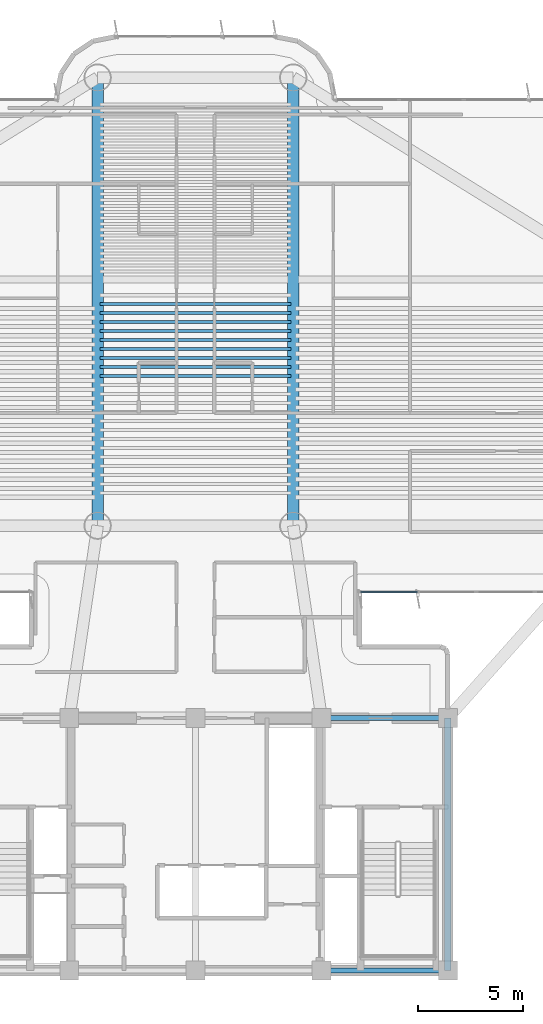
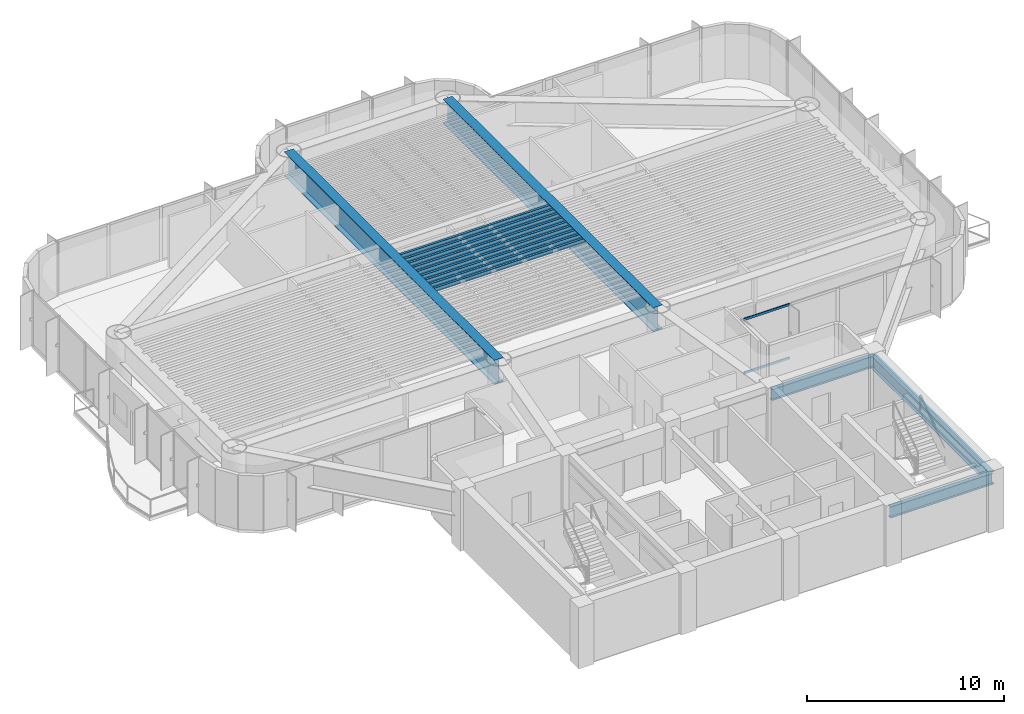
# One storey, part 3 of 15: 14 beams, 2 members, 1 element without a shape of its own.
"""IFC4 building model written with IfcOpenShell, lengths in metres."""

from ifc_helpers import new_model, si_unit, direction, frame, origin, origin_2d, place, context, subcontext, project, spatial, rectangle, i_section, extrude, source, transform, mapped, material, layer, layer_set, material_profile, profile_set, type_object, element, aggregate, save


model = new_model("IFC4")

# Units and contexts
model_context = context("Model", 3, precision=1e-05, world=origin(), true_north=direction((0.0, 1.0)))
body_context = subcontext(model_context, "Body", "Model", "MODEL_VIEW")
ifc_project = project(units=[si_unit("LENGTHUNIT", "METRE"), si_unit("AREAUNIT", "SQUARE_METRE"), si_unit("VOLUMEUNIT", "CUBIC_METRE"), si_unit("PLANEANGLEUNIT", "RADIAN"), si_unit("MASSUNIT", "GRAM", prefix="KILO")], contexts=[model_context])

# Site, building, storey
site_placement = place(None, origin())
site = spatial("IfcSite", under=ifc_project, at=site_placement, CompositionType="ELEMENT")
building_placement = place(site_placement, origin())
building = spatial("IfcBuilding", under=site, at=building_placement, Name="Brelvock Crest Care Tower", CompositionType="ELEMENT")
storey_placement = place(building_placement, frame((0.0, 0.0, 142.739990234375)))
storey = spatial("IfcBuildingStorey", under=building, at=storey_placement, Name="L36", CompositionType="ELEMENT", Elevation=142.739990234375)

# Beams
ifc_material_1 = material(Name="Steel Grade 350", Category="steel")
ifc_material_profile_1 = material_profile(ifc_material_1, i_section(OverallWidth=0.25, OverallDepth=0.699951171875, WebThickness=0.011962890625, FlangeThickness=0.02001953125, at=origin_2d()), Name="700WB150")
ifc_profile_set_1 = profile_set([ifc_material_profile_1], Name="Steel Grade 350")
beam_type_1 = type_object("IfcBeamType", Name="BM-G4", PredefinedType="BEAM", material=ifc_profile_set_1)
shared_shape_1 = source(origin(), body_context, "Body", "SweptSolid", [
    extrude(i_section(OverallWidth=0.25, OverallDepth=0.699951171875, WebThickness=0.011962890625, FlangeThickness=0.02001953125, at=origin_2d()), origin(), (0.0, 0.0, 1.0), 6.0),
])
for number, where, z_axis, x_axis, name in (
    (1, (42.0, 6.0, 3.02197265625), (1.0, 0.0, 0.0), (0.0, 1.0, 0.0), "BM-CORES-L36-4"),
    (2, (42.0, 18.0, 3.02197265625), (1.0, 0.0, 0.0), (0.0, 1.0, 0.0), "BM-COREN-L36-4"),
):
    element("IfcBeam", number, at=place(storey_placement, frame(where, z_axis=z_axis, x_axis=x_axis)), inside=storey, type_object=beam_type_1, Name=name, PredefinedType="BEAM", context=body_context, shape_type="MappedRepresentation", body=[
        mapped(shared_shape_1, transform((0.0, 0.0, 0.0), x_axis=(1.0, 0.0, 0.0), y_axis=(0.0, 1.0, 0.0), z_axis=(0.0, 0.0, 1.0), scale=1.0)),
    ])
ifc_material_profile_2 = material_profile(ifc_material_1, i_section(OverallWidth=0.300048828125, OverallDepth=0.800048828125, WebThickness=0.013916015625, FlangeThickness=0.02197265625, at=origin_2d()), Name="800WB192")
ifc_profile_set_2 = profile_set([ifc_material_profile_2], Name="Steel Grade 350")
beam_type_2 = type_object("IfcBeamType", Name="BM-G5", PredefinedType="BEAM", material=ifc_profile_set_2)
shared_shape_2 = source(origin(), body_context, "Body", "SweptSolid", [
    extrude(i_section(OverallWidth=0.300048828125, OverallDepth=0.800048828125, WebThickness=0.013916015625, FlangeThickness=0.02197265625, at=origin_2d()), origin(), (0.0, 0.0, 1.0), 12.0),
])
beam_placement = place(storey_placement, frame((48.0, 6.0, 2.971923828125), z_axis=(0.0, 1.0, 0.0), x_axis=(-1.0, 0.0, 0.0)))
element("IfcBeam", 3, at=beam_placement, inside=storey, type_object=beam_type_2, Name="BM-COREX-L36-5", PredefinedType="BEAM", context=body_context, shape_type="MappedRepresentation", body=[
    mapped(shared_shape_2, transform((0.0, 0.0, 0.0), x_axis=(1.0, 0.0, 0.0), y_axis=(0.0, 1.0, 0.0), z_axis=(0.0, 0.0, 1.0), scale=1.0)),
])
ifc_material_profile_3 = material_profile(ifc_material_1, i_section(OverallWidth=0.14599609375, OverallDepth=0.256103515625, WebThickness=0.00634765625, FlangeThickness=0.010986328125, FilletRadius=0.0087890625, at=origin_2d()), Name="250UB37.3")
ifc_profile_set_3 = profile_set([ifc_material_profile_3], Name="Steel Grade 350")
beam_type_3 = type_object("IfcBeamType", Name="BM-J3", PredefinedType="JOIST", material=ifc_profile_set_3)
shared_shape_3 = source(origin(), body_context, "Body", "SweptSolid", [
    extrude(i_section(OverallWidth=0.14599609375, OverallDepth=0.256103515625, WebThickness=0.00634765625, FlangeThickness=0.010986328125, FilletRadius=0.0087890625, at=origin_2d()), origin(), (0.0, 0.0, 1.0), 9.06982421875),
])
for number, where, z_axis, x_axis, name in (
    (4, (31.465087890625, 34.2607421875, 3.243896484375), (1.0, 0.0, 0.0), (0.0, 1.0, 0.0), "BM-JH-L36-16"),
    (5, (31.465087890625, 34.687744140625, 3.243896484375), (1.0, 0.0, 0.0), (0.0, 1.0, 0.0), "BM-JH-L36-17"),
    (6, (31.465087890625, 35.11474609375, 3.243896484375), (1.0, 0.0, 0.0), (0.0, 1.0, 0.0), "BM-JH-L36-18"),
    (7, (31.465087890625, 35.541748046875, 3.243896484375), (1.0, 0.0, 0.0), (0.0, 1.0, 0.0), "BM-JH-L36-19"),
    (8, (31.465087890625, 35.96875, 3.243896484375), (1.0, 0.0, 0.0), (0.0, 1.0, 0.0), "BM-JH-L36-20"),
    (9, (31.465087890625, 36.39599609375, 3.243896484375), (1.0, 0.0, 0.0), (0.0, 1.0, 0.0), "BM-JH-L36-21"),
    (10, (31.465087890625, 36.822998046875, 3.243896484375), (1.0, 0.0, 0.0), (0.0, 1.0, 0.0), "BM-JH-L36-22"),
    (11, (31.465087890625, 37.25, 3.243896484375), (1.0, 0.0, 0.0), (0.0, 1.0, 0.0), "BM-JH-L36-23"),
    (12, (31.465087890625, 37.677001953125, 3.243896484375), (1.0, 0.0, 0.0), (0.0, 1.0, 0.0), "BM-JH-L36-24"),
):
    element("IfcBeam", number, at=place(storey_placement, frame(where, z_axis=z_axis, x_axis=x_axis)), inside=storey, type_object=beam_type_3, Name=name, PredefinedType="JOIST", context=body_context, shape_type="MappedRepresentation", body=[
        mapped(shared_shape_3, transform((0.0, 0.0, 0.0), x_axis=(1.0, 0.0, 0.0), y_axis=(0.0, 1.0, 0.0), z_axis=(0.0, 0.0, 1.0), scale=1.0)),
    ])
ifc_material_profile_4 = material_profile(ifc_material_1, i_section(OverallWidth=0.550048828125, OverallDepth=1.5, WebThickness=0.02392578125, FlangeThickness=0.044921875, at=origin_2d()), Name="1500TG580")
ifc_profile_set_4 = profile_set([ifc_material_profile_4], Name="Steel Grade 350")
beam_type_4 = type_object("IfcBeamType", Name="BM-TG2", PredefinedType="USERDEFINED", material=ifc_profile_set_4)
shared_shape_4 = source(origin(), body_context, "Body", "SweptSolid", [
    extrude(i_section(OverallWidth=0.550048828125, OverallDepth=1.5, WebThickness=0.02392578125, FlangeThickness=0.044921875, at=origin_2d()), origin(), (0.0, 0.0, 1.0), 21.300048828125),
])
for number, where, z_axis, x_axis, name in (
    (13, (31.35009765625, 27.14990234375, 2.6220703125), (0.0, 1.0, 0.0), (-1.0, 0.0, 0.0), "BM-TWR-L36-09"),
    (14, (40.64990234375, 27.14990234375, 2.6220703125), (0.0, 1.0, 0.0), (-1.0, 0.0, 0.0), "BM-TWR-L36-10"),
):
    element("IfcBeam", number, at=place(storey_placement, frame(where, z_axis=z_axis, x_axis=x_axis)), inside=storey, type_object=beam_type_4, Name=name, ObjectType="GIRDER", PredefinedType="USERDEFINED", context=body_context, shape_type="MappedRepresentation", body=[
        mapped(shared_shape_4, transform((0.0, 0.0, 0.0), x_axis=(1.0, 0.0, 0.0), y_axis=(0.0, 1.0, 0.0), z_axis=(0.0, 0.0, 1.0), scale=1.0)),
    ])

# Curtain wall, members
ifc_material_2 = material(Name="Dark Glass Double Glazed Low-E", Category="glass")
ifc_layer = layer(ifc_material_2, 0.2099609375, Name="CWS-3")
ifc_layer_set = layer_set([ifc_layer], Name="Dark Glass Double Glazed Low-E")
curtain_wall_type = type_object("IfcCurtainWallType", Name="CWS-3", PredefinedType="NOTDEFINED", material=ifc_layer_set)
curtain_wall_placement = place(storey_placement, origin())
curtain_wall = element("IfcCurtainWall", 15, at=curtain_wall_placement, inside=storey, type_object=curtain_wall_type, Name="L36 Curtain Wall E44", PredefinedType="NOTDEFINED")
ifc_material_3 = material(Name="Aluminium 6063-T6", Category="aluminium")
ifc_material_profile_5 = material_profile(ifc_material_3, rectangle(XDim=0.06005859375, YDim=0.139892578125, at=origin_2d()), Name="ALU60x140")
ifc_profile_set_5 = profile_set([ifc_material_profile_5], Name="Aluminium 6063-T6")
member_type = type_object("IfcMemberType", Name="CWT-2", PredefinedType="USERDEFINED", material=ifc_profile_set_5)
shared_shape_5 = source(origin(), body_context, "Body", "SweptSolid", [
    extrude(rectangle(XDim=0.06005859375, YDim=0.139892578125, at=origin_2d()), origin(), (0.0, 0.0, 1.0), 2.684814453125),
])
member_1_placement = place(storey_placement, frame((46.544921875, 24.0, 0.030029296875), z_axis=(-1.0, 0.0, 0.0), x_axis=(0.0, -1.0, 0.0)))
member_1 = element("IfcMember", 16, at=member_1_placement, type_object=member_type, Name="CW-3 transom 4.1", ObjectType="TRANSOM", PredefinedType="USERDEFINED", context=body_context, shape_type="MappedRepresentation", body=[
    mapped(shared_shape_5, transform((0.0, 0.0, 0.0), x_axis=(1.0, 0.0, 0.0), y_axis=(0.0, 1.0, 0.0), z_axis=(0.0, 0.0, 1.0), scale=1.0)),
])
member_2_placement = place(storey_placement, frame((46.544921875, 24.0, 3.342041015625), z_axis=(-1.0, 0.0, 0.0), x_axis=(0.0, -1.0, 0.0)))
member_2 = element("IfcMember", 17, at=member_2_placement, type_object=member_type, Name="CW-3 transom 4.2", ObjectType="TRANSOM", PredefinedType="USERDEFINED", context=body_context, shape_type="MappedRepresentation", body=[
    mapped(shared_shape_5, transform((0.0, 0.0, 0.0), x_axis=(1.0, 0.0, 0.0), y_axis=(0.0, 1.0, 0.0), z_axis=(0.0, 0.0, 1.0), scale=1.0)),
])
aggregate(curtain_wall, [member_1, member_2])

save(model, "model.ifc")
